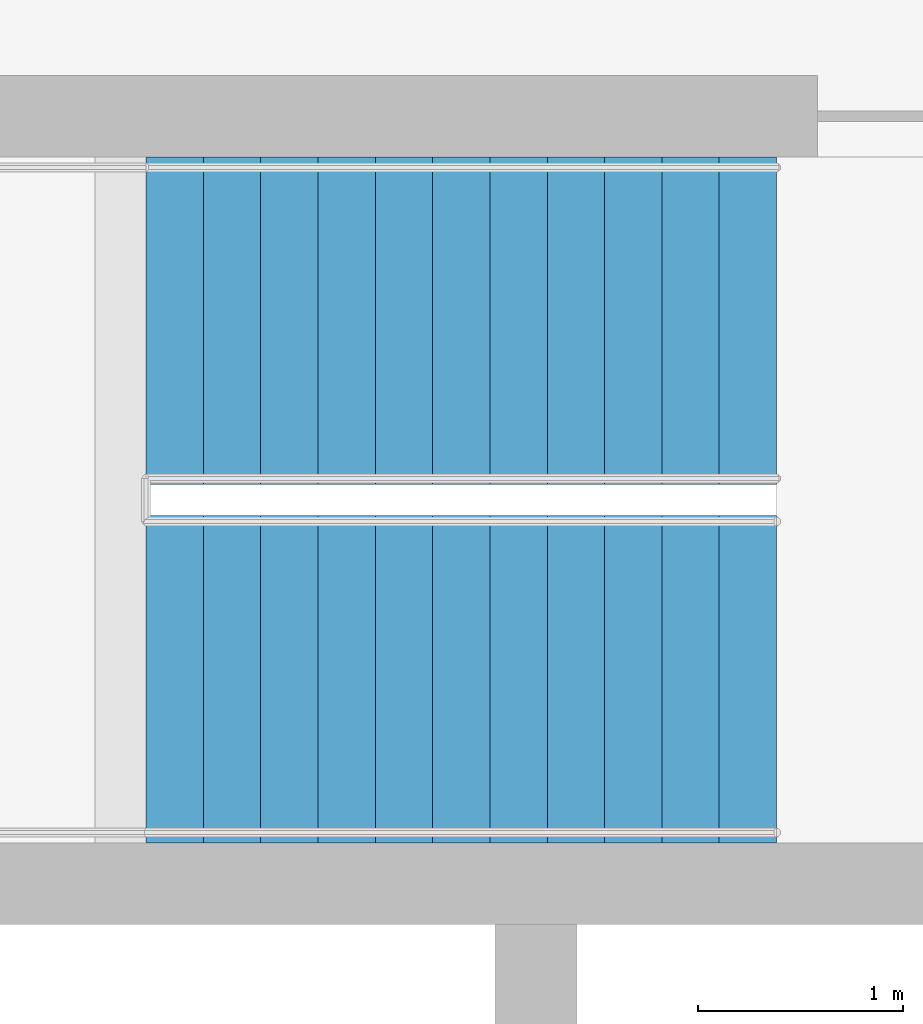
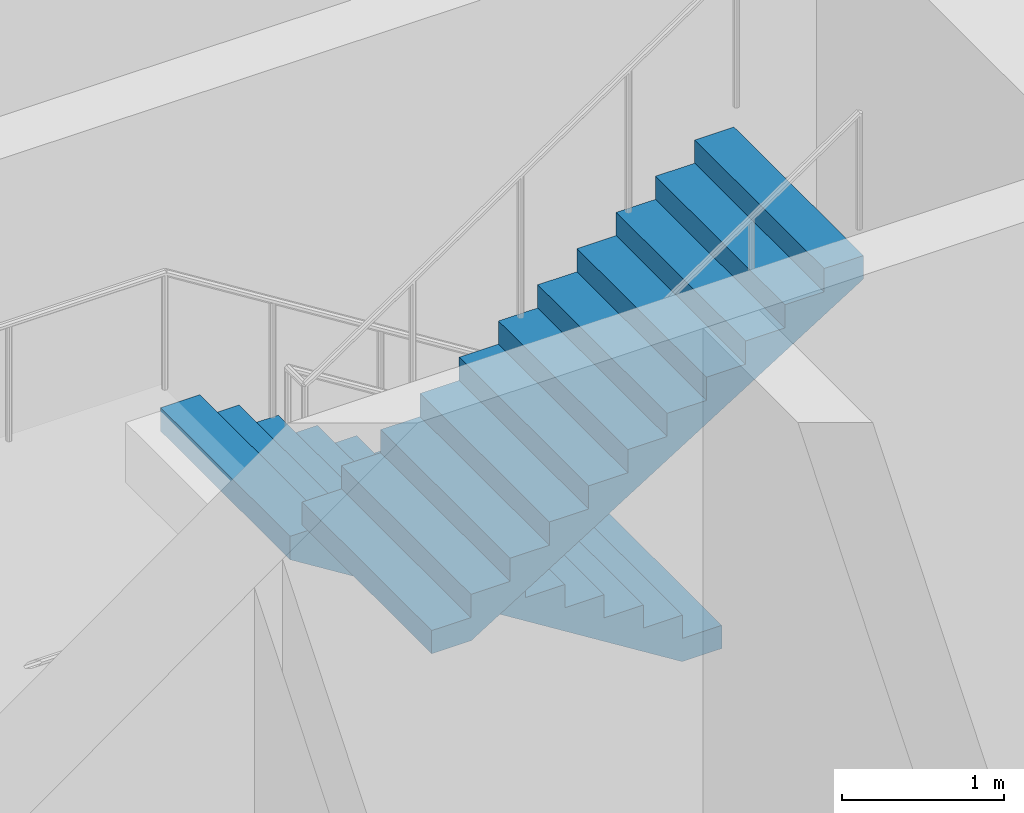
# One storey, part 16 of 20: 2 stair flights, 1 element without a shape of its own.
"""IFC4 building model written with IfcOpenShell, lengths in metres."""

from ifc_helpers import new_model, si_unit, direction, frame, origin, place, context, subcontext, project, spatial, polyline, outline, extrude, material, type_object, element, aggregate, save


model = new_model("IFC4")

# Units and contexts
model_context = context("Model", 3, precision=1e-05, world=origin(), true_north=direction((0.0, 1.0)))
body_context = subcontext(model_context, "Body", "Model", "MODEL_VIEW")
ifc_project = project(units=[si_unit("LENGTHUNIT", "METRE"), si_unit("AREAUNIT", "SQUARE_METRE"), si_unit("VOLUMEUNIT", "CUBIC_METRE"), si_unit("PLANEANGLEUNIT", "RADIAN"), si_unit("MASSUNIT", "GRAM", prefix="KILO")], contexts=[model_context])

# Site, building, storey
site_placement = place(None, origin())
site = spatial("IfcSite", under=ifc_project, at=site_placement, CompositionType="ELEMENT")
building_placement = place(site_placement, origin())
building = spatial("IfcBuilding", under=site, at=building_placement, Name="Cobogo Forest Laboratory Tower", CompositionType="ELEMENT")
storey_placement = place(building_placement, frame((0.0, 0.0, 214.5)))
storey = spatial("IfcBuildingStorey", under=building, at=storey_placement, Name="L49", CompositionType="ELEMENT", Elevation=214.5)

# Stair, stair flights
ifc_material = material(Name="Precast concrete HA-40 (C40/50)", Category="concrete")
stair_type = type_object("IfcStairType", Name="ST24 exit stair 24 risers", PredefinedType="HALF_TURN_STAIR", material=ifc_material)
stair_placement = place(storey_placement, origin())
stair = element("IfcStair", 1, at=stair_placement, inside=storey, type_object=stair_type, Name="Stair 2 L49 to L50", PredefinedType="HALF_TURN_STAIR")
stair_flight_type = type_object("IfcStairFlightType", Name="ST stair flight 280 going", PredefinedType="STRAIGHT", material=ifc_material)
stair_flight_1_placement = place(storey_placement, frame((37.47509765625, 25.699951171875, 0.0), z_axis=(0.0, 0.0, 1.0), x_axis=(-1.0, 0.0, 0.0)))
stair_flight_1 = element("IfcStairFlight", 2, at=stair_flight_1_placement, type_object=stair_flight_type, Name="ST2 flight 1", NumberOfRisers=12, NumberOfTreads=11, PredefinedType="STRAIGHT", RiserHeight=0.175, TreadLength=0.28, context=body_context, shape_type="SweptSolid", body=[
    extrude(outline(polyline([(0.0, 0.0), (0.0, 0.175048828125), (0.280029296875, 0.175048828125), (0.280029296875, 0.35009765625), (0.56005859375, 0.35009765625), (0.56005859375, 0.52490234375), (0.840087890625, 0.52490234375), (0.840087890625, 0.699951171875), (1.1201171875, 0.699951171875), (1.1201171875, 0.875), (1.39990234375, 0.875), (1.39990234375, 1.050048828125), (1.679931640625, 1.050048828125), (1.679931640625, 1.22509765625), (1.9599609375, 1.22509765625), (1.9599609375, 1.39990234375), (2.239990234375, 1.39990234375), (2.239990234375, 1.574951171875), (2.52001953125, 1.574951171875), (2.52001953125, 1.75), (2.800048828125, 1.75), (2.800048828125, 1.925048828125), (3.080078125, 1.925048828125), (3.080078125, 2.10009765625), (3.080078125, 1.748291015625), (0.28271484375, 0.0), (0.0, 0.0)])), frame((0.0, 0.800048828125, 0.0), z_axis=(0.0, -1.0, 0.0), x_axis=(1.0, 0.0, 0.0)), (0.0, 0.0, 1.0), 1.60009765625),
])
stair_flight_2_placement = place(storey_placement, frame((34.39501953125, 23.949951171875, 2.10009765625), z_axis=(0.0, 0.0, 1.0), x_axis=(1.0, 0.0, 0.0)))
stair_flight_2 = element("IfcStairFlight", 3, at=stair_flight_2_placement, type_object=stair_flight_type, Name="ST2 flight 2", NumberOfRisers=12, NumberOfTreads=11, PredefinedType="STRAIGHT", RiserHeight=0.175, TreadLength=0.28, context=body_context, shape_type="SweptSolid", body=[
    extrude(outline(polyline([(0.0, 0.0), (0.0, 0.175048828125), (0.280029296875, 0.175048828125), (0.280029296875, 0.35009765625), (0.56005859375, 0.35009765625), (0.56005859375, 0.52490234375), (0.840087890625, 0.52490234375), (0.840087890625, 0.699951171875), (1.1201171875, 0.699951171875), (1.1201171875, 0.875), (1.39990234375, 0.875), (1.39990234375, 1.050048828125), (1.679931640625, 1.050048828125), (1.679931640625, 1.22509765625), (1.9599609375, 1.22509765625), (1.9599609375, 1.39990234375), (2.239990234375, 1.39990234375), (2.239990234375, 1.574951171875), (2.52001953125, 1.574951171875), (2.52001953125, 1.75), (2.800048828125, 1.75), (2.800048828125, 1.925048828125), (3.080078125, 1.925048828125), (3.080078125, 2.10009765625), (3.080078125, 1.748291015625), (0.28271484375, 0.0), (0.0, 0.0)])), frame((0.0, 0.800048828125, 0.0), z_axis=(0.0, -1.0, 0.0), x_axis=(1.0, 0.0, 0.0)), (0.0, 0.0, 1.0), 1.60009765625),
])
aggregate(stair, [stair_flight_1, stair_flight_2])

save(model, "model.ifc")
